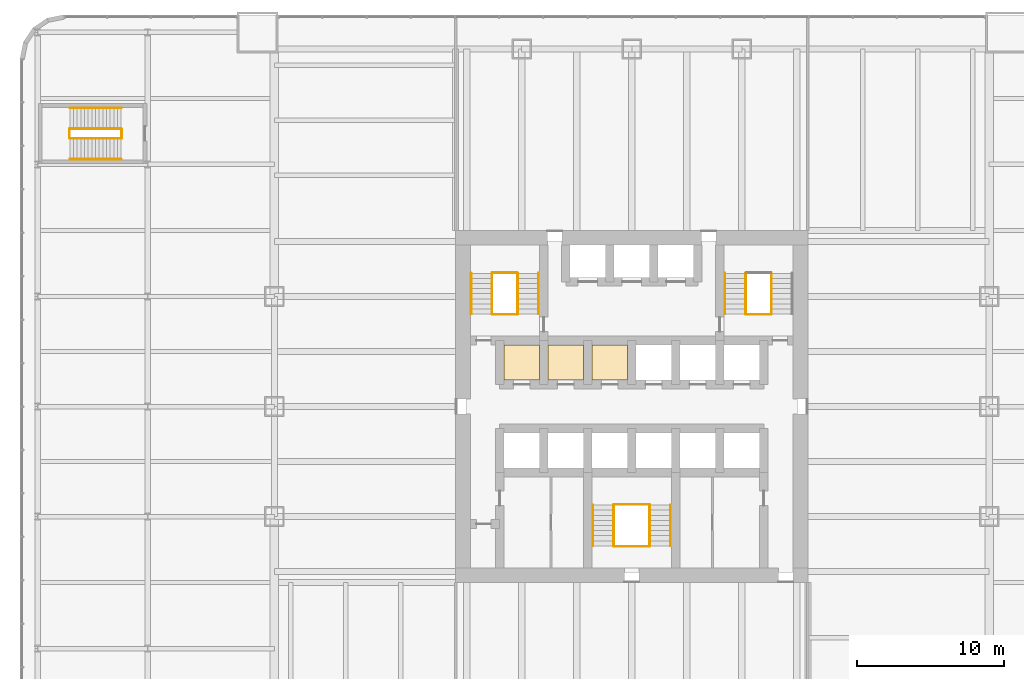
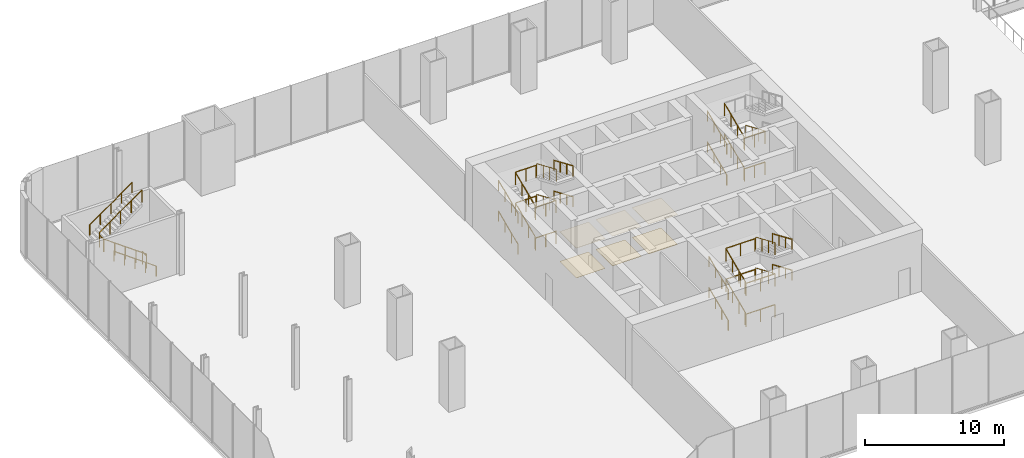
# One storey, part 15 of 16: 37 railings, 6 coverings.
"""IFC4 building model written with IfcOpenShell, lengths in metres."""

from ifc_helpers import new_model, si_unit, direction, frame, origin, origin_2d, place, context, subcontext, project, spatial, polyline, circle, outline, extrude, material, layer, layer_set, type_object, element, save


model = new_model("IFC4")

# Units and contexts
model_context = context("Model", 3, precision=1e-05, world=origin(), true_north=direction((0.0, 1.0)))
body_context = subcontext(model_context, "Body", "Model", "MODEL_VIEW")
ifc_project = project(units=[si_unit("LENGTHUNIT", "METRE"), si_unit("AREAUNIT", "SQUARE_METRE"), si_unit("VOLUMEUNIT", "CUBIC_METRE"), si_unit("PLANEANGLEUNIT", "RADIAN"), si_unit("MASSUNIT", "GRAM", prefix="KILO")], contexts=[model_context])

# Site, building, storey
site_placement = place(None, origin())
site = spatial("IfcSite", under=ifc_project, at=site_placement, CompositionType="ELEMENT")
building_placement = place(site_placement, origin())
building = spatial("IfcBuilding", under=site, at=building_placement, Name="Tarangal Relay Tower", CompositionType="ELEMENT")
storey_placement = place(building_placement, frame((0.0, 0.0, 12.60009765625)))
storey = spatial("IfcBuildingStorey", under=building, at=storey_placement, Name="L02", CompositionType="ELEMENT", Elevation=12.60009765625)

# Coverings
ifc_material_1 = material(Name="Anti-static vinyl flooring", Category="plastic")
ifc_layer_1 = layer(ifc_material_1, 0.010009765625)
ifc_layer_set_1 = layer_set([ifc_layer_1], Name="Anti-static vinyl floor")
covering_type_1 = type_object("IfcCoveringType", Name="Anti-static vinyl floor", PredefinedType="FLOORING", material=ifc_layer_set_1)
covering_1_placement = place(storey_placement, origin())
element("IfcCovering", 1, at=covering_1_placement, inside=storey, type_object=covering_type_1, Name="Floor finish FL1 L02-D1", PredefinedType="FLOORING", context=body_context, shape_type="SweptSolid", body=[
    extrude(outline(polyline([(-8.699951171875, 1.800048828125), (-6.300048828125, 1.800048828125), (-6.300048828125, 4.199951171875), (-8.699951171875, 4.199951171875), (-8.699951171875, 1.800048828125)])), origin(), (0.0, 0.0, 1.0), 0.010009765625),
])
covering_2_placement = place(storey_placement, origin())
element("IfcCovering", 2, at=covering_2_placement, inside=storey, type_object=covering_type_1, Name="Floor finish FL1 L02-D2", PredefinedType="FLOORING", context=body_context, shape_type="SweptSolid", body=[
    extrude(outline(polyline([(-5.699951171875, 1.800048828125), (-3.300048828125, 1.800048828125), (-3.300048828125, 4.199951171875), (-5.699951171875, 4.199951171875), (-5.699951171875, 1.800048828125)])), origin(), (0.0, 0.0, 1.0), 0.010009765625),
])
covering_3_placement = place(storey_placement, origin())
element("IfcCovering", 3, at=covering_3_placement, inside=storey, type_object=covering_type_1, Name="Floor finish FL1 L02-D3", PredefinedType="FLOORING", context=body_context, shape_type="SweptSolid", body=[
    extrude(outline(polyline([(-2.699951171875, 1.800048828125), (-0.300048828125, 1.800048828125), (-0.300048828125, 4.199951171875), (-2.699951171875, 4.199951171875), (-2.699951171875, 1.800048828125)])), origin(), (0.0, 0.0, 1.0), 0.010009765625),
])

# Railings
ifc_material_2 = material(Name="Steel guard, black finish", Category="steel")
railing_type_1 = type_object("IfcRailingType", Name="Stair guard 1100", PredefinedType="GUARDRAIL", material=ifc_material_2)
railing_1_placement = place(storey_placement, frame((-9.530029296875, 6.300048828125, 0.14990234375)))
element("IfcRailing", 4, at=railing_1_placement, inside=storey, type_object=railing_type_1, Name="Stair ST-A guard GR1 L02 flight 1", PredefinedType="GUARDRAIL", context=body_context, shape_type="SweptSolid", body=[
    extrude(circle(Radius=0.02392578125, at=origin_2d()), frame((0.0, 0.0, 1.076171875), z_axis=(0.0, 0.918326609968, 0.395823492765), x_axis=(-1.0, 0.0, 0.0)), (0.0, 0.0, 1.0), 3.031494140625),
    extrude(circle(Radius=0.02099609375, at=origin_2d()), origin(), (0.0, 0.0, 1.0), 1.052001953125),
    extrude(circle(Radius=0.02099609375, at=origin_2d()), frame((0.0, 0.927978515625, 0.39990234375)), (0.0, 0.0, 1.0), 1.052001953125),
    extrude(circle(Radius=0.02099609375, at=origin_2d()), frame((0.0, 1.85595703125, 0.800048828125)), (0.0, 0.0, 1.0), 1.052001953125),
    extrude(circle(Radius=0.02099609375, at=origin_2d()), frame((0.0, 2.783935546875, 1.199951171875)), (0.0, 0.0, 1.0), 1.052001953125),
])
railing_2_placement = place(storey_placement, frame((-7.77001953125, 9.083984375, 1.5)))
element("IfcRailing", 5, at=railing_2_placement, inside=storey, type_object=railing_type_1, Name="Stair ST-A guard GR1 L02 flight 2", PredefinedType="GUARDRAIL", context=body_context, shape_type="SweptSolid", body=[
    extrude(circle(Radius=0.02392578125, at=origin_2d()), frame((0.0, 0.0, 1.076171875), z_axis=(0.0, -0.918326609968, 0.395823492765), x_axis=(1.0, 0.0, 0.0)), (0.0, 0.0, 1.0), 3.031494140625),
    extrude(circle(Radius=0.02099609375, at=origin_2d()), origin(), (0.0, 0.0, 1.0), 1.052001953125),
    extrude(circle(Radius=0.02099609375, at=origin_2d()), frame((0.0, -0.927978515625, 0.39990234375)), (0.0, 0.0, 1.0), 1.052001953125),
    extrude(circle(Radius=0.02099609375, at=origin_2d()), frame((0.0, -1.85595703125, 0.800048828125)), (0.0, 0.0, 1.0), 1.052001953125),
    extrude(circle(Radius=0.02099609375, at=origin_2d()), frame((0.0, -2.783935546875, 1.199951171875)), (0.0, 0.0, 1.0), 1.052001953125),
])
railing_3_placement = place(storey_placement, frame((-9.530029296875, 6.300048828125, 2.849853515625)))
element("IfcRailing", 6, at=railing_3_placement, inside=storey, type_object=railing_type_1, Name="Stair ST-A guard GR1 L02 flight 3", PredefinedType="GUARDRAIL", context=body_context, shape_type="SweptSolid", body=[
    extrude(circle(Radius=0.02392578125, at=origin_2d()), frame((0.0, 0.0, 1.076171875), z_axis=(0.0, 0.918326609968, 0.395823492765), x_axis=(-1.0, 0.0, 0.0)), (0.0, 0.0, 1.0), 3.031494140625),
    extrude(circle(Radius=0.02099609375, at=origin_2d()), origin(), (0.0, 0.0, 1.0), 1.052001953125),
    extrude(circle(Radius=0.02099609375, at=origin_2d()), frame((0.0, 0.927978515625, 0.39990234375)), (0.0, 0.0, 1.0), 1.052001953125),
    extrude(circle(Radius=0.02099609375, at=origin_2d()), frame((0.0, 1.85595703125, 0.800048828125)), (0.0, 0.0, 1.0), 1.052001953125),
    extrude(circle(Radius=0.02099609375, at=origin_2d()), frame((0.0, 2.783935546875, 1.199951171875)), (0.0, 0.0, 1.0), 1.052001953125),
])
railing_4_placement = place(storey_placement, frame((-7.77001953125, 9.083984375, 4.199951171875)))
element("IfcRailing", 7, at=railing_4_placement, inside=storey, type_object=railing_type_1, Name="Stair ST-A guard GR1 L02 flight 4", PredefinedType="GUARDRAIL", context=body_context, shape_type="SweptSolid", body=[
    extrude(circle(Radius=0.02392578125, at=origin_2d()), frame((0.0, 0.0, 1.076171875), z_axis=(0.0, -0.918326609968, 0.395823492765), x_axis=(1.0, 0.0, 0.0)), (0.0, 0.0, 1.0), 3.031494140625),
    extrude(circle(Radius=0.02099609375, at=origin_2d()), origin(), (0.0, 0.0, 1.0), 1.052001953125),
    extrude(circle(Radius=0.02099609375, at=origin_2d()), frame((0.0, -0.927978515625, 0.39990234375)), (0.0, 0.0, 1.0), 1.052001953125),
    extrude(circle(Radius=0.02099609375, at=origin_2d()), frame((0.0, -1.85595703125, 0.800048828125)), (0.0, 0.0, 1.0), 1.052001953125),
    extrude(circle(Radius=0.02099609375, at=origin_2d()), frame((0.0, -2.783935546875, 1.199951171875)), (0.0, 0.0, 1.0), 1.052001953125),
])
for number, where, name in (
    (8, (-9.5, 6.27001953125, 0.0), "Stair ST-A landing guard GR1 L02"),
    (9, (-9.5, 9.114013671875, 1.349853515625), "Stair ST-A landing guard GR1 L02"),
    (10, (-9.5, 6.27001953125, 2.699951171875), "Stair ST-A landing guard GR1 L02"),
    (11, (-9.5, 9.114013671875, 4.0498046875), "Stair ST-A landing guard GR1 L02"),
):
    element("IfcRailing", number, at=place(storey_placement, frame(where)), inside=storey, type_object=railing_type_1, Name=name, PredefinedType="GUARDRAIL", context=body_context, shape_type="SweptSolid", body=[
        extrude(circle(Radius=0.02392578125, at=origin_2d()), frame((0.0, 0.0, 1.076171875), z_axis=(1.0, 0.0, 0.0), x_axis=(0.0, 1.0, 0.0)), (0.0, 0.0, 1.0), 1.699951171875),
        extrude(circle(Radius=0.02099609375, at=origin_2d()), origin(), (0.0, 0.0, 1.0), 1.052001953125),
        extrude(circle(Radius=0.02099609375, at=origin_2d()), frame((0.85009765625, 0.0, 0.0)), (0.0, 0.0, 1.0), 1.052001953125),
        extrude(circle(Radius=0.02099609375, at=origin_2d()), frame((1.699951171875, 0.0, 0.0)), (0.0, 0.0, 1.0), 1.052001953125),
    ])
railing_5_placement = place(storey_placement, frame((7.77001953125, 6.300048828125, 0.14990234375)))
element("IfcRailing", 12, at=railing_5_placement, inside=storey, type_object=railing_type_1, Name="Stair ST-B guard GR1 L02 flight 1", PredefinedType="GUARDRAIL", context=body_context, shape_type="SweptSolid", body=[
    extrude(circle(Radius=0.02392578125, at=origin_2d()), frame((0.0, 0.0, 1.076171875), z_axis=(0.0, 0.918326609968, 0.395823492765), x_axis=(-1.0, 0.0, 0.0)), (0.0, 0.0, 1.0), 3.031494140625),
    extrude(circle(Radius=0.02099609375, at=origin_2d()), origin(), (0.0, 0.0, 1.0), 1.052001953125),
    extrude(circle(Radius=0.02099609375, at=origin_2d()), frame((0.0, 0.927978515625, 0.39990234375)), (0.0, 0.0, 1.0), 1.052001953125),
    extrude(circle(Radius=0.02099609375, at=origin_2d()), frame((0.0, 1.85595703125, 0.800048828125)), (0.0, 0.0, 1.0), 1.052001953125),
    extrude(circle(Radius=0.02099609375, at=origin_2d()), frame((0.0, 2.783935546875, 1.199951171875)), (0.0, 0.0, 1.0), 1.052001953125),
])
railing_6_placement = place(storey_placement, frame((9.530029296875, 9.083984375, 1.5)))
element("IfcRailing", 13, at=railing_6_placement, inside=storey, type_object=railing_type_1, Name="Stair ST-B guard GR1 L02 flight 2", PredefinedType="GUARDRAIL", context=body_context, shape_type="SweptSolid", body=[
    extrude(circle(Radius=0.02392578125, at=origin_2d()), frame((0.0, 0.0, 1.076171875), z_axis=(0.0, -0.918326609968, 0.395823492765), x_axis=(1.0, 0.0, 0.0)), (0.0, 0.0, 1.0), 3.031494140625),
    extrude(circle(Radius=0.02099609375, at=origin_2d()), origin(), (0.0, 0.0, 1.0), 1.052001953125),
    extrude(circle(Radius=0.02099609375, at=origin_2d()), frame((0.0, -0.927978515625, 0.39990234375)), (0.0, 0.0, 1.0), 1.052001953125),
    extrude(circle(Radius=0.02099609375, at=origin_2d()), frame((0.0, -1.85595703125, 0.800048828125)), (0.0, 0.0, 1.0), 1.052001953125),
    extrude(circle(Radius=0.02099609375, at=origin_2d()), frame((0.0, -2.783935546875, 1.199951171875)), (0.0, 0.0, 1.0), 1.052001953125),
])
railing_7_placement = place(storey_placement, frame((7.77001953125, 6.300048828125, 2.849853515625)))
element("IfcRailing", 14, at=railing_7_placement, inside=storey, type_object=railing_type_1, Name="Stair ST-B guard GR1 L02 flight 3", PredefinedType="GUARDRAIL", context=body_context, shape_type="SweptSolid", body=[
    extrude(circle(Radius=0.02392578125, at=origin_2d()), frame((0.0, 0.0, 1.076171875), z_axis=(0.0, 0.918326609968, 0.395823492765), x_axis=(-1.0, 0.0, 0.0)), (0.0, 0.0, 1.0), 3.031494140625),
    extrude(circle(Radius=0.02099609375, at=origin_2d()), origin(), (0.0, 0.0, 1.0), 1.052001953125),
    extrude(circle(Radius=0.02099609375, at=origin_2d()), frame((0.0, 0.927978515625, 0.39990234375)), (0.0, 0.0, 1.0), 1.052001953125),
    extrude(circle(Radius=0.02099609375, at=origin_2d()), frame((0.0, 1.85595703125, 0.800048828125)), (0.0, 0.0, 1.0), 1.052001953125),
    extrude(circle(Radius=0.02099609375, at=origin_2d()), frame((0.0, 2.783935546875, 1.199951171875)), (0.0, 0.0, 1.0), 1.052001953125),
])
for number, where, name in (
    (15, (7.800048828125, 6.27001953125, 0.0), "Stair ST-B landing guard GR1 L02"),
    (16, (7.800048828125, 6.27001953125, 2.699951171875), "Stair ST-B landing guard GR1 L02"),
):
    element("IfcRailing", number, at=place(storey_placement, frame(where)), inside=storey, type_object=railing_type_1, Name=name, PredefinedType="GUARDRAIL", context=body_context, shape_type="SweptSolid", body=[
        extrude(circle(Radius=0.02392578125, at=origin_2d()), frame((0.0, 0.0, 1.076171875), z_axis=(1.0, 0.0, 0.0), x_axis=(0.0, 1.0, 0.0)), (0.0, 0.0, 1.0), 1.699951171875),
        extrude(circle(Radius=0.02099609375, at=origin_2d()), origin(), (0.0, 0.0, 1.0), 1.052001953125),
        extrude(circle(Radius=0.02099609375, at=origin_2d()), frame((0.85009765625, 0.0, 0.0)), (0.0, 0.0, 1.0), 1.052001953125),
        extrude(circle(Radius=0.02099609375, at=origin_2d()), frame((1.699951171875, 0.0, 0.0)), (0.0, 0.0, 1.0), 1.052001953125),
    ])
railing_8_placement = place(storey_placement, frame((-1.22998046875, -9.5, 0.14990234375)))
element("IfcRailing", 17, at=railing_8_placement, inside=storey, type_object=railing_type_1, Name="Stair ST-C guard GR1 L02 flight 1", PredefinedType="GUARDRAIL", context=body_context, shape_type="SweptSolid", body=[
    extrude(circle(Radius=0.02392578125, at=origin_2d()), frame((0.0, 0.0, 1.076171875), z_axis=(0.0, 0.918326609968, 0.395823492765), x_axis=(-1.0, 0.0, 0.0)), (0.0, 0.0, 1.0), 3.031494140625),
    extrude(circle(Radius=0.02099609375, at=origin_2d()), origin(), (0.0, 0.0, 1.0), 1.052001953125),
    extrude(circle(Radius=0.02099609375, at=origin_2d()), frame((0.0, 0.927978515625, 0.39990234375)), (0.0, 0.0, 1.0), 1.052001953125),
    extrude(circle(Radius=0.02099609375, at=origin_2d()), frame((0.0, 1.85595703125, 0.800048828125)), (0.0, 0.0, 1.0), 1.052001953125),
    extrude(circle(Radius=0.02099609375, at=origin_2d()), frame((0.0, 2.783935546875, 1.199951171875)), (0.0, 0.0, 1.0), 1.052001953125),
])
railing_9_placement = place(storey_placement, frame((1.22998046875, -6.716064453125, 1.5)))
element("IfcRailing", 18, at=railing_9_placement, inside=storey, type_object=railing_type_1, Name="Stair ST-C guard GR1 L02 flight 2", PredefinedType="GUARDRAIL", context=body_context, shape_type="SweptSolid", body=[
    extrude(circle(Radius=0.02392578125, at=origin_2d()), frame((0.0, 0.0, 1.076171875), z_axis=(0.0, -0.918326609968, 0.395823492765), x_axis=(1.0, 0.0, 0.0)), (0.0, 0.0, 1.0), 3.031494140625),
    extrude(circle(Radius=0.02099609375, at=origin_2d()), origin(), (0.0, 0.0, 1.0), 1.052001953125),
    extrude(circle(Radius=0.02099609375, at=origin_2d()), frame((0.0, -0.927978515625, 0.39990234375)), (0.0, 0.0, 1.0), 1.052001953125),
    extrude(circle(Radius=0.02099609375, at=origin_2d()), frame((0.0, -1.85595703125, 0.800048828125)), (0.0, 0.0, 1.0), 1.052001953125),
    extrude(circle(Radius=0.02099609375, at=origin_2d()), frame((0.0, -2.783935546875, 1.199951171875)), (0.0, 0.0, 1.0), 1.052001953125),
])
railing_10_placement = place(storey_placement, frame((-1.22998046875, -9.5, 2.849853515625)))
element("IfcRailing", 19, at=railing_10_placement, inside=storey, type_object=railing_type_1, Name="Stair ST-C guard GR1 L02 flight 3", PredefinedType="GUARDRAIL", context=body_context, shape_type="SweptSolid", body=[
    extrude(circle(Radius=0.02392578125, at=origin_2d()), frame((0.0, 0.0, 1.076171875), z_axis=(0.0, 0.918326609968, 0.395823492765), x_axis=(-1.0, 0.0, 0.0)), (0.0, 0.0, 1.0), 3.031494140625),
    extrude(circle(Radius=0.02099609375, at=origin_2d()), origin(), (0.0, 0.0, 1.0), 1.052001953125),
    extrude(circle(Radius=0.02099609375, at=origin_2d()), frame((0.0, 0.927978515625, 0.39990234375)), (0.0, 0.0, 1.0), 1.052001953125),
    extrude(circle(Radius=0.02099609375, at=origin_2d()), frame((0.0, 1.85595703125, 0.800048828125)), (0.0, 0.0, 1.0), 1.052001953125),
    extrude(circle(Radius=0.02099609375, at=origin_2d()), frame((0.0, 2.783935546875, 1.199951171875)), (0.0, 0.0, 1.0), 1.052001953125),
])
railing_11_placement = place(storey_placement, frame((1.22998046875, -6.716064453125, 4.199951171875)))
element("IfcRailing", 20, at=railing_11_placement, inside=storey, type_object=railing_type_1, Name="Stair ST-C guard GR1 L02 flight 4", PredefinedType="GUARDRAIL", context=body_context, shape_type="SweptSolid", body=[
    extrude(circle(Radius=0.02392578125, at=origin_2d()), frame((0.0, 0.0, 1.076171875), z_axis=(0.0, -0.918326609968, 0.395823492765), x_axis=(1.0, 0.0, 0.0)), (0.0, 0.0, 1.0), 3.031494140625),
    extrude(circle(Radius=0.02099609375, at=origin_2d()), origin(), (0.0, 0.0, 1.0), 1.052001953125),
    extrude(circle(Radius=0.02099609375, at=origin_2d()), frame((0.0, -0.927978515625, 0.39990234375)), (0.0, 0.0, 1.0), 1.052001953125),
    extrude(circle(Radius=0.02099609375, at=origin_2d()), frame((0.0, -1.85595703125, 0.800048828125)), (0.0, 0.0, 1.0), 1.052001953125),
    extrude(circle(Radius=0.02099609375, at=origin_2d()), frame((0.0, -2.783935546875, 1.199951171875)), (0.0, 0.0, 1.0), 1.052001953125),
])
for number, where, name in (
    (21, (-1.199951171875, -9.530029296875, 0.0), "Stair ST-C landing guard GR1 L02"),
    (22, (-1.199951171875, -6.68603515625, 1.349853515625), "Stair ST-C landing guard GR1 L02"),
    (23, (-1.199951171875, -9.530029296875, 2.699951171875), "Stair ST-C landing guard GR1 L02"),
    (24, (-1.199951171875, -6.68603515625, 4.0498046875), "Stair ST-C landing guard GR1 L02"),
):
    element("IfcRailing", number, at=place(storey_placement, frame(where)), inside=storey, type_object=railing_type_1, Name=name, PredefinedType="GUARDRAIL", context=body_context, shape_type="SweptSolid", body=[
        extrude(circle(Radius=0.02392578125, at=origin_2d()), frame((0.0, 0.0, 1.076171875), z_axis=(1.0, 0.0, 0.0), x_axis=(0.0, 1.0, 0.0)), (0.0, 0.0, 1.0), 2.39990234375),
        extrude(circle(Radius=0.02099609375, at=origin_2d()), origin(), (0.0, 0.0, 1.0), 1.052001953125),
        extrude(circle(Radius=0.02099609375, at=origin_2d()), frame((1.199951171875, 0.0, 0.0)), (0.0, 0.0, 1.0), 1.052001953125),
        extrude(circle(Radius=0.02099609375, at=origin_2d()), frame((2.39990234375, 0.0, 0.0)), (0.0, 0.0, 1.0), 1.052001953125),
    ])
railing_12_placement = place(storey_placement, frame((-34.800048828125, 18.27001953125, 0.179931640625)))
element("IfcRailing", 25, at=railing_12_placement, inside=storey, type_object=railing_type_1, Name="Stair ST-D guard GR1 L02 flight 1", PredefinedType="GUARDRAIL", context=body_context, shape_type="SweptSolid", body=[
    extrude(circle(Radius=0.02392578125, at=origin_2d()), frame((0.0, 0.0, 1.076171875), z_axis=(-0.811532194041, 0.0, 0.584307708349), x_axis=(0.0, -1.0, 0.0)), (0.0, 0.0, 1.0), 4.312744140625),
    extrude(circle(Radius=0.02099609375, at=origin_2d()), origin(), (0.0, 0.0, 1.0), 1.052001953125),
    extrude(circle(Radius=0.02099609375, at=origin_2d()), frame((-0.875, 0.0, 0.6298828125)), (0.0, 0.0, 1.0), 1.052001953125),
    extrude(circle(Radius=0.02099609375, at=origin_2d()), frame((-1.75, 0.0, 1.260009765625)), (0.0, 0.0, 1.0), 1.052001953125),
    extrude(circle(Radius=0.02099609375, at=origin_2d()), frame((-2.625, 0.0, 1.89013671875)), (0.0, 0.0, 1.0), 1.052001953125),
    extrude(circle(Radius=0.02099609375, at=origin_2d()), frame((-3.5, 0.0, 2.52001953125)), (0.0, 0.0, 1.0), 1.052001953125),
])
railing_13_placement = place(storey_placement, frame((-38.300048828125, 18.929931640625, 2.8798828125)))
element("IfcRailing", 26, at=railing_13_placement, inside=storey, type_object=railing_type_1, Name="Stair ST-D guard GR1 L02 flight 2", PredefinedType="GUARDRAIL", context=body_context, shape_type="SweptSolid", body=[
    extrude(circle(Radius=0.02392578125, at=origin_2d()), frame((0.0, 0.0, 1.076171875), z_axis=(0.811532194041, 0.0, 0.584307708349), x_axis=(0.0, 1.0, 0.0)), (0.0, 0.0, 1.0), 4.312744140625),
    extrude(circle(Radius=0.02099609375, at=origin_2d()), origin(), (0.0, 0.0, 1.0), 1.052001953125),
    extrude(circle(Radius=0.02099609375, at=origin_2d()), frame((0.875, 0.0, 0.6298828125)), (0.0, 0.0, 1.0), 1.052001953125),
    extrude(circle(Radius=0.02099609375, at=origin_2d()), frame((1.75, 0.0, 1.260009765625)), (0.0, 0.0, 1.0), 1.052001953125),
    extrude(circle(Radius=0.02099609375, at=origin_2d()), frame((2.625, 0.0, 1.89013671875)), (0.0, 0.0, 1.0), 1.052001953125),
    extrude(circle(Radius=0.02099609375, at=origin_2d()), frame((3.5, 0.0, 2.52001953125)), (0.0, 0.0, 1.0), 1.052001953125),
])
for number, where, name in (
    (27, (-34.77001953125, 18.300048828125, 0.0), "Stair ST-D landing guard GR1 L02"),
    (28, (-38.330078125, 18.300048828125, 2.699951171875), "Stair ST-D landing guard GR1 L02"),
):
    element("IfcRailing", number, at=place(storey_placement, frame(where)), inside=storey, type_object=railing_type_1, Name=name, PredefinedType="GUARDRAIL", context=body_context, shape_type="SweptSolid", body=[
        extrude(circle(Radius=0.02392578125, at=origin_2d()), frame((0.0, 0.0, 1.076171875), z_axis=(0.0, 1.0, 0.0), x_axis=(-1.0, 0.0, 0.0)), (0.0, 0.0, 1.0), 0.599853515625),
        extrude(circle(Radius=0.02099609375, at=origin_2d()), origin(), (0.0, 0.0, 1.0), 1.052001953125),
        extrude(circle(Radius=0.02099609375, at=origin_2d()), frame((0.0, 0.599853515625, 0.0)), (0.0, 0.0, 1.0), 1.052001953125),
    ])
ifc_material_3 = material(Name="Steel handrail, black finish", Category="steel")
railing_type_2 = type_object("IfcRailingType", Name="Stair handrail 900", PredefinedType="HANDRAIL", material=ifc_material_3)
railing_14_placement = place(storey_placement, frame((-10.93994140625, 6.300048828125, 0.14990234375)))
element("IfcRailing", 29, at=railing_14_placement, inside=storey, type_object=railing_type_2, Name="Stair ST-A handrail HR1 L02 flight 1", PredefinedType="HANDRAIL", context=body_context, shape_type="SweptSolid", body=[
    extrude(circle(Radius=0.02392578125, at=origin_2d()), frame((0.0, 0.0, 0.8759765625), z_axis=(0.0, 0.918326609968, 0.395823492765), x_axis=(-1.0, 0.0, 0.0)), (0.0, 0.0, 1.0), 3.031494140625),
    extrude(circle(Radius=0.02099609375, at=origin_2d()), origin(), (0.0, 0.0, 1.0), 0.851806640625),
    extrude(circle(Radius=0.02099609375, at=origin_2d()), frame((0.0, 0.927978515625, 0.39990234375)), (0.0, 0.0, 1.0), 0.851806640625),
    extrude(circle(Radius=0.02099609375, at=origin_2d()), frame((0.0, 1.85595703125, 0.800048828125)), (0.0, 0.0, 1.0), 0.851806640625),
    extrude(circle(Radius=0.02099609375, at=origin_2d()), frame((0.0, 2.783935546875, 1.199951171875)), (0.0, 0.0, 1.0), 0.851806640625),
])
railing_15_placement = place(storey_placement, frame((-6.360107421875, 9.083984375, 1.5)))
element("IfcRailing", 30, at=railing_15_placement, inside=storey, type_object=railing_type_2, Name="Stair ST-A handrail HR1 L02 flight 2", PredefinedType="HANDRAIL", context=body_context, shape_type="SweptSolid", body=[
    extrude(circle(Radius=0.02392578125, at=origin_2d()), frame((0.0, 0.0, 0.8759765625), z_axis=(0.0, -0.918326609968, 0.395823492765), x_axis=(1.0, 0.0, 0.0)), (0.0, 0.0, 1.0), 3.031494140625),
    extrude(circle(Radius=0.02099609375, at=origin_2d()), origin(), (0.0, 0.0, 1.0), 0.851806640625),
    extrude(circle(Radius=0.02099609375, at=origin_2d()), frame((0.0, -0.927978515625, 0.39990234375)), (0.0, 0.0, 1.0), 0.851806640625),
    extrude(circle(Radius=0.02099609375, at=origin_2d()), frame((0.0, -1.85595703125, 0.800048828125)), (0.0, 0.0, 1.0), 0.851806640625),
    extrude(circle(Radius=0.02099609375, at=origin_2d()), frame((0.0, -2.783935546875, 1.199951171875)), (0.0, 0.0, 1.0), 0.851806640625),
])
railing_16_placement = place(storey_placement, frame((-10.93994140625, 6.300048828125, 2.849853515625)))
element("IfcRailing", 31, at=railing_16_placement, inside=storey, type_object=railing_type_2, Name="Stair ST-A handrail HR1 L02 flight 3", PredefinedType="HANDRAIL", context=body_context, shape_type="SweptSolid", body=[
    extrude(circle(Radius=0.02392578125, at=origin_2d()), frame((0.0, 0.0, 0.8759765625), z_axis=(0.0, 0.918326609968, 0.395823492765), x_axis=(-1.0, 0.0, 0.0)), (0.0, 0.0, 1.0), 3.031494140625),
    extrude(circle(Radius=0.02099609375, at=origin_2d()), origin(), (0.0, 0.0, 1.0), 0.851806640625),
    extrude(circle(Radius=0.02099609375, at=origin_2d()), frame((0.0, 0.927978515625, 0.39990234375)), (0.0, 0.0, 1.0), 0.851806640625),
    extrude(circle(Radius=0.02099609375, at=origin_2d()), frame((0.0, 1.85595703125, 0.800048828125)), (0.0, 0.0, 1.0), 0.851806640625),
    extrude(circle(Radius=0.02099609375, at=origin_2d()), frame((0.0, 2.783935546875, 1.199951171875)), (0.0, 0.0, 1.0), 0.851806640625),
])
railing_17_placement = place(storey_placement, frame((-6.360107421875, 9.083984375, 4.199951171875)))
element("IfcRailing", 32, at=railing_17_placement, inside=storey, type_object=railing_type_2, Name="Stair ST-A handrail HR1 L02 flight 4", PredefinedType="HANDRAIL", context=body_context, shape_type="SweptSolid", body=[
    extrude(circle(Radius=0.02392578125, at=origin_2d()), frame((0.0, 0.0, 0.8759765625), z_axis=(0.0, -0.918326609968, 0.395823492765), x_axis=(1.0, 0.0, 0.0)), (0.0, 0.0, 1.0), 3.031494140625),
    extrude(circle(Radius=0.02099609375, at=origin_2d()), origin(), (0.0, 0.0, 1.0), 0.851806640625),
    extrude(circle(Radius=0.02099609375, at=origin_2d()), frame((0.0, -0.927978515625, 0.39990234375)), (0.0, 0.0, 1.0), 0.851806640625),
    extrude(circle(Radius=0.02099609375, at=origin_2d()), frame((0.0, -1.85595703125, 0.800048828125)), (0.0, 0.0, 1.0), 0.851806640625),
    extrude(circle(Radius=0.02099609375, at=origin_2d()), frame((0.0, -2.783935546875, 1.199951171875)), (0.0, 0.0, 1.0), 0.851806640625),
])
for number, where, name in (
    (33, (6.360107421875, 6.300048828125, 0.14990234375), "Stair ST-B handrail HR1 L02 flight 1"),
    (34, (6.360107421875, 6.300048828125, 2.849853515625), "Stair ST-B handrail HR1 L02 flight 3"),
    (35, (-2.639892578125, -9.5, 0.14990234375), "Stair ST-C handrail HR1 L02 flight 1"),
):
    element("IfcRailing", number, at=place(storey_placement, frame(where)), inside=storey, type_object=railing_type_2, Name=name, PredefinedType="HANDRAIL", context=body_context, shape_type="SweptSolid", body=[
        extrude(circle(Radius=0.02392578125, at=origin_2d()), frame((0.0, 0.0, 0.8759765625), z_axis=(0.0, 0.918326609968, 0.395823492765), x_axis=(-1.0, 0.0, 0.0)), (0.0, 0.0, 1.0), 3.031494140625),
        extrude(circle(Radius=0.02099609375, at=origin_2d()), origin(), (0.0, 0.0, 1.0), 0.851806640625),
        extrude(circle(Radius=0.02099609375, at=origin_2d()), frame((0.0, 0.927978515625, 0.39990234375)), (0.0, 0.0, 1.0), 0.851806640625),
        extrude(circle(Radius=0.02099609375, at=origin_2d()), frame((0.0, 1.85595703125, 0.800048828125)), (0.0, 0.0, 1.0), 0.851806640625),
        extrude(circle(Radius=0.02099609375, at=origin_2d()), frame((0.0, 2.783935546875, 1.199951171875)), (0.0, 0.0, 1.0), 0.851806640625),
    ])
railing_18_placement = place(storey_placement, frame((2.639892578125, -6.716064453125, 1.5)))
element("IfcRailing", 36, at=railing_18_placement, inside=storey, type_object=railing_type_2, Name="Stair ST-C handrail HR1 L02 flight 2", PredefinedType="HANDRAIL", context=body_context, shape_type="SweptSolid", body=[
    extrude(circle(Radius=0.02392578125, at=origin_2d()), frame((0.0, 0.0, 0.8759765625), z_axis=(0.0, -0.918326609968, 0.395823492765), x_axis=(1.0, 0.0, 0.0)), (0.0, 0.0, 1.0), 3.031494140625),
    extrude(circle(Radius=0.02099609375, at=origin_2d()), origin(), (0.0, 0.0, 1.0), 0.851806640625),
    extrude(circle(Radius=0.02099609375, at=origin_2d()), frame((0.0, -0.927978515625, 0.39990234375)), (0.0, 0.0, 1.0), 0.851806640625),
    extrude(circle(Radius=0.02099609375, at=origin_2d()), frame((0.0, -1.85595703125, 0.800048828125)), (0.0, 0.0, 1.0), 0.851806640625),
    extrude(circle(Radius=0.02099609375, at=origin_2d()), frame((0.0, -2.783935546875, 1.199951171875)), (0.0, 0.0, 1.0), 0.851806640625),
])
railing_19_placement = place(storey_placement, frame((-2.639892578125, -9.5, 2.849853515625)))
element("IfcRailing", 37, at=railing_19_placement, inside=storey, type_object=railing_type_2, Name="Stair ST-C handrail HR1 L02 flight 3", PredefinedType="HANDRAIL", context=body_context, shape_type="SweptSolid", body=[
    extrude(circle(Radius=0.02392578125, at=origin_2d()), frame((0.0, 0.0, 0.8759765625), z_axis=(0.0, 0.918326609968, 0.395823492765), x_axis=(-1.0, 0.0, 0.0)), (0.0, 0.0, 1.0), 3.031494140625),
    extrude(circle(Radius=0.02099609375, at=origin_2d()), origin(), (0.0, 0.0, 1.0), 0.851806640625),
    extrude(circle(Radius=0.02099609375, at=origin_2d()), frame((0.0, 0.927978515625, 0.39990234375)), (0.0, 0.0, 1.0), 0.851806640625),
    extrude(circle(Radius=0.02099609375, at=origin_2d()), frame((0.0, 1.85595703125, 0.800048828125)), (0.0, 0.0, 1.0), 0.851806640625),
    extrude(circle(Radius=0.02099609375, at=origin_2d()), frame((0.0, 2.783935546875, 1.199951171875)), (0.0, 0.0, 1.0), 0.851806640625),
])
railing_20_placement = place(storey_placement, frame((2.639892578125, -6.716064453125, 4.199951171875)))
element("IfcRailing", 38, at=railing_20_placement, inside=storey, type_object=railing_type_2, Name="Stair ST-C handrail HR1 L02 flight 4", PredefinedType="HANDRAIL", context=body_context, shape_type="SweptSolid", body=[
    extrude(circle(Radius=0.02392578125, at=origin_2d()), frame((0.0, 0.0, 0.8759765625), z_axis=(0.0, -0.918326609968, 0.395823492765), x_axis=(1.0, 0.0, 0.0)), (0.0, 0.0, 1.0), 3.031494140625),
    extrude(circle(Radius=0.02099609375, at=origin_2d()), origin(), (0.0, 0.0, 1.0), 0.851806640625),
    extrude(circle(Radius=0.02099609375, at=origin_2d()), frame((0.0, -0.927978515625, 0.39990234375)), (0.0, 0.0, 1.0), 0.851806640625),
    extrude(circle(Radius=0.02099609375, at=origin_2d()), frame((0.0, -1.85595703125, 0.800048828125)), (0.0, 0.0, 1.0), 0.851806640625),
    extrude(circle(Radius=0.02099609375, at=origin_2d()), frame((0.0, -2.783935546875, 1.199951171875)), (0.0, 0.0, 1.0), 0.851806640625),
])
railing_21_placement = place(storey_placement, frame((-34.800048828125, 16.860107421875, 0.179931640625)))
element("IfcRailing", 39, at=railing_21_placement, inside=storey, type_object=railing_type_2, Name="Stair ST-D handrail HR1 L02 flight 1", PredefinedType="HANDRAIL", context=body_context, shape_type="SweptSolid", body=[
    extrude(circle(Radius=0.02392578125, at=origin_2d()), frame((0.0, 0.0, 0.8759765625), z_axis=(-0.811532194041, 0.0, 0.584307708349), x_axis=(0.0, -1.0, 0.0)), (0.0, 0.0, 1.0), 4.312744140625),
    extrude(circle(Radius=0.02099609375, at=origin_2d()), origin(), (0.0, 0.0, 1.0), 0.851806640625),
    extrude(circle(Radius=0.02099609375, at=origin_2d()), frame((-0.875, 0.0, 0.6298828125)), (0.0, 0.0, 1.0), 0.851806640625),
    extrude(circle(Radius=0.02099609375, at=origin_2d()), frame((-1.75, 0.0, 1.260009765625)), (0.0, 0.0, 1.0), 0.851806640625),
    extrude(circle(Radius=0.02099609375, at=origin_2d()), frame((-2.625, 0.0, 1.89013671875)), (0.0, 0.0, 1.0), 0.851806640625),
    extrude(circle(Radius=0.02099609375, at=origin_2d()), frame((-3.5, 0.0, 2.52001953125)), (0.0, 0.0, 1.0), 0.851806640625),
])
railing_22_placement = place(storey_placement, frame((-38.300048828125, 20.340087890625, 2.8798828125)))
element("IfcRailing", 40, at=railing_22_placement, inside=storey, type_object=railing_type_2, Name="Stair ST-D handrail HR1 L02 flight 2", PredefinedType="HANDRAIL", context=body_context, shape_type="SweptSolid", body=[
    extrude(circle(Radius=0.02392578125, at=origin_2d()), frame((0.0, 0.0, 0.8759765625), z_axis=(0.811532194041, 0.0, 0.584307708349), x_axis=(0.0, 1.0, 0.0)), (0.0, 0.0, 1.0), 4.312744140625),
    extrude(circle(Radius=0.02099609375, at=origin_2d()), origin(), (0.0, 0.0, 1.0), 0.851806640625),
    extrude(circle(Radius=0.02099609375, at=origin_2d()), frame((0.875, 0.0, 0.6298828125)), (0.0, 0.0, 1.0), 0.851806640625),
    extrude(circle(Radius=0.02099609375, at=origin_2d()), frame((1.75, 0.0, 1.260009765625)), (0.0, 0.0, 1.0), 0.851806640625),
    extrude(circle(Radius=0.02099609375, at=origin_2d()), frame((2.625, 0.0, 1.89013671875)), (0.0, 0.0, 1.0), 0.851806640625),
    extrude(circle(Radius=0.02099609375, at=origin_2d()), frame((3.5, 0.0, 2.52001953125)), (0.0, 0.0, 1.0), 0.851806640625),
])

# Coverings
ifc_material_4 = material(Name="Mineral fibre ceiling tiles", Category="gypsum")
ifc_layer_2 = layer(ifc_material_4, 0.02001953125)
ifc_layer_set_2 = layer_set([ifc_layer_2], Name="Suspended ceiling")
covering_type_2 = type_object("IfcCoveringType", Name="Suspended ceiling", PredefinedType="CEILING", material=ifc_layer_set_2)
covering_4_placement = place(storey_placement, frame((0.0, 0.0, 2.599853515625)))
element("IfcCovering", 41, at=covering_4_placement, inside=storey, type_object=covering_type_2, Name="Suspended ceiling CL1 L02-D1", PredefinedType="CEILING", context=body_context, shape_type="SweptSolid", body=[
    extrude(outline(polyline([(-8.699951171875, 1.800048828125), (-6.300048828125, 1.800048828125), (-6.300048828125, 4.199951171875), (-8.699951171875, 4.199951171875), (-8.699951171875, 1.800048828125)])), origin(), (0.0, 0.0, 1.0), 0.02001953125),
])
covering_5_placement = place(storey_placement, frame((0.0, 0.0, 2.599853515625)))
element("IfcCovering", 42, at=covering_5_placement, inside=storey, type_object=covering_type_2, Name="Suspended ceiling CL1 L02-D2", PredefinedType="CEILING", context=body_context, shape_type="SweptSolid", body=[
    extrude(outline(polyline([(-5.699951171875, 1.800048828125), (-3.300048828125, 1.800048828125), (-3.300048828125, 4.199951171875), (-5.699951171875, 4.199951171875), (-5.699951171875, 1.800048828125)])), origin(), (0.0, 0.0, 1.0), 0.02001953125),
])
covering_6_placement = place(storey_placement, frame((0.0, 0.0, 2.599853515625)))
element("IfcCovering", 43, at=covering_6_placement, inside=storey, type_object=covering_type_2, Name="Suspended ceiling CL1 L02-D3", PredefinedType="CEILING", context=body_context, shape_type="SweptSolid", body=[
    extrude(outline(polyline([(-2.699951171875, 1.800048828125), (-0.300048828125, 1.800048828125), (-0.300048828125, 4.199951171875), (-2.699951171875, 4.199951171875), (-2.699951171875, 1.800048828125)])), origin(), (0.0, 0.0, 1.0), 0.02001953125),
])

save(model, "model.ifc")
